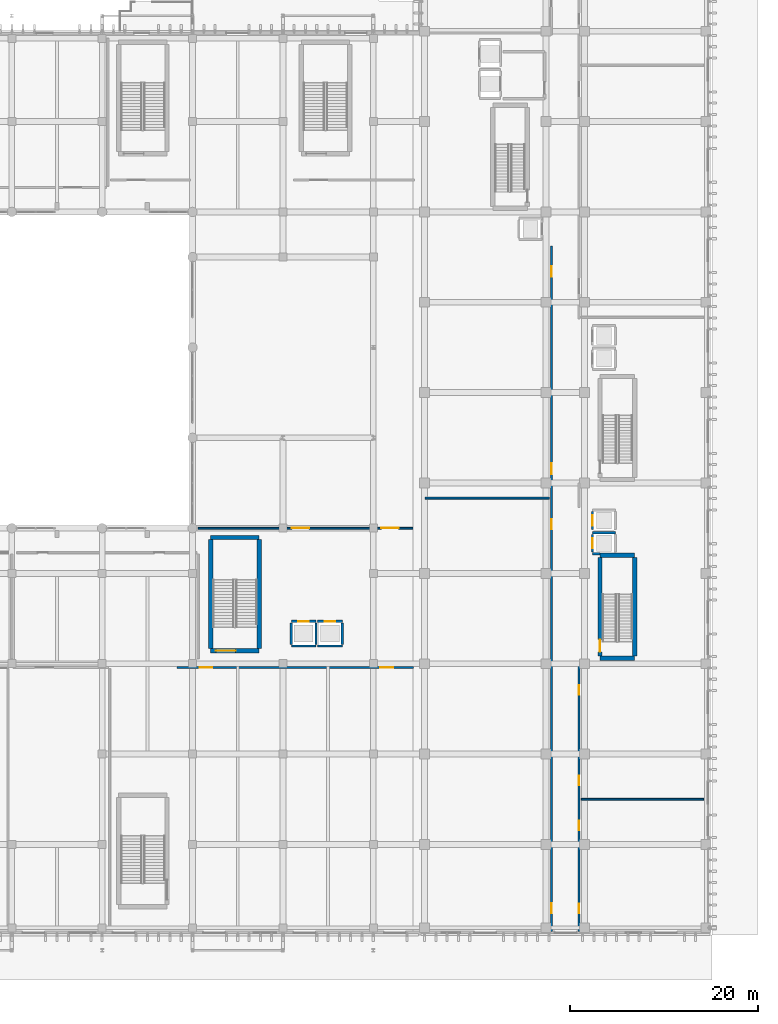
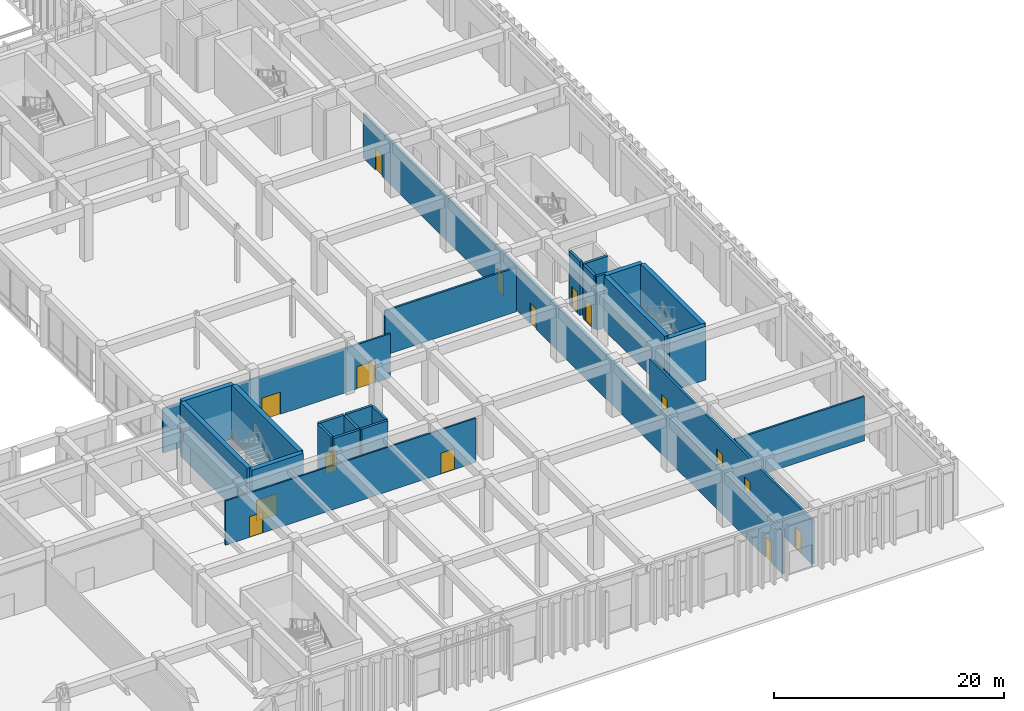
# One storey, part 46 of 87: 25 walls, 18 doors, 18 openings.
"""IFC4 building model written with IfcOpenShell, lengths in metres."""

from ifc_helpers import new_model, si_unit, direction, frame, frame_2d, origin, place, context, subcontext, project, spatial, rectangle, extrude, material, layer, layer_set, type_object, element, fill, save


model = new_model("IFC4")

# Units and contexts
model_context = context("Model", 3, precision=1e-05, world=origin(), true_north=direction((0.0, 1.0)))
body_context = subcontext(model_context, "Body", "Model", "MODEL_VIEW")
ifc_project = project(units=[si_unit("LENGTHUNIT", "METRE"), si_unit("AREAUNIT", "SQUARE_METRE"), si_unit("VOLUMEUNIT", "CUBIC_METRE"), si_unit("PLANEANGLEUNIT", "RADIAN"), si_unit("MASSUNIT", "GRAM", prefix="KILO")], contexts=[model_context])

# Site, building, storey
site_placement = place(None, origin())
site = spatial("IfcSite", under=ifc_project, at=site_placement, CompositionType="ELEMENT")
building_placement = place(site_placement, origin())
building = spatial("IfcBuilding", under=site, at=building_placement, Name="Nakhvara Creek Congress Hotel", CompositionType="ELEMENT")
storey_placement = place(building_placement, origin())
storey = spatial("IfcBuildingStorey", under=building, at=storey_placement, Name="L00", CompositionType="ELEMENT", Elevation=0.0)

# Wall, openings, doors
ifc_material_1 = material(Name="Moisture-resistant blockwork and plaster", Category="masonry")
ifc_layer_1 = layer(ifc_material_1, 0.159912109375)
ifc_layer_set_1 = layer_set([ifc_layer_1], Name="Moisture-resistant blockwork and plaster")
wall_type_1 = type_object("IfcWallType", Name="W-BOH-160", PredefinedType="PARTITIONING", material=ifc_layer_set_1)
wall_1_placement = place(storey_placement, frame((123.14990234375, 28.39990234375, 0.0), z_axis=(0.0, 0.0, 1.0), x_axis=(1.0, 0.0, 0.0)))
wall_1 = element("IfcWall", 1, at=wall_1_placement, inside=storey, type_object=wall_type_1, Name="Interior Wall WP14-IW-L00-0071", PredefinedType="PARTITIONING", context=body_context, shape_type="SweptSolid", body=[
    extrude(rectangle(XDim=25.10009765625, YDim=0.159912109375, at=frame_2d((12.550048828125, 0.0))), origin(), (0.0, 0.0, 1.0), 4.69189453125),
])
opening_1_placement = place(wall_1_placement, frame((2.39990234375, 0.0, 0.0)))
opening_1 = element("IfcOpeningElement", 2, at=opening_1_placement, cuts=wall_1, Name="Opening ID05", PredefinedType="OPENING", context=body_context, shape_type="SweptSolid", body=[
    extrude(rectangle(XDim=1.35009765625, YDim=2.199951171875, at=frame_2d((0.675048828125, 1.10009765625))), frame((0.0, 0.091796875, 0.0), z_axis=(0.0, -1.0, 0.0), x_axis=(1.0, 0.0, 0.0)), (0.0, 0.0, 1.0), 0.183837890625),
])
opening_2_placement = place(wall_1_placement, frame((21.60009765625, 0.0, 0.0)))
opening_2 = element("IfcOpeningElement", 3, at=opening_2_placement, cuts=wall_1, Name="Opening ID05", PredefinedType="OPENING", context=body_context, shape_type="SweptSolid", body=[
    extrude(rectangle(XDim=1.35009765625, YDim=2.199951171875, at=frame_2d((0.675048828125, 1.10009765625))), frame((0.0, 0.091796875, 0.0), z_axis=(0.0, -1.0, 0.0), x_axis=(1.0, 0.0, 0.0)), (0.0, 0.0, 1.0), 0.183837890625),
])
ifc_material_2 = material(Name="Brushed stainless-clad BOH door")
door_type_1 = type_object("IfcDoorType", Name="DT-BOH-135", OperationType="NOTDEFINED", PredefinedType="DOOR", material=ifc_material_2)
door_1_placement = place(opening_1_placement, origin())
door_1 = element("IfcDoor", 4, at=door_1_placement, inside=storey, type_object=door_type_1, Name="Interior Door ID05-0071", OperationType="SINGLE_SWING_RIGHT", OverallHeight=2.199951171875, OverallWidth=1.35009765625, PredefinedType="DOOR", context=body_context, shape_type="SweptSolid", body=[
    extrude(rectangle(XDim=1.35009765625, YDim=2.199951171875, at=frame_2d((0.675048828125, 1.10009765625))), frame((0.0, 0.02490234375, 0.0), z_axis=(0.0, -1.0, 0.0), x_axis=(1.0, 0.0, 0.0)), (0.0, 0.0, 1.0), 0.050048828125),
])
fill(opening_1, door_1)
door_2_placement = place(opening_2_placement, origin())
door_2 = element("IfcDoor", 5, at=door_2_placement, inside=storey, type_object=door_type_1, Name="Interior Door ID05-0072", OperationType="SINGLE_SWING_LEFT", OverallHeight=2.199951171875, OverallWidth=1.35009765625, PredefinedType="DOOR", context=body_context, shape_type="SweptSolid", body=[
    extrude(rectangle(XDim=1.35009765625, YDim=2.199951171875, at=frame_2d((0.675048828125, 1.10009765625))), frame((0.0, 0.02490234375, 0.0), z_axis=(0.0, -1.0, 0.0), x_axis=(1.0, 0.0, 0.0)), (0.0, 0.0, 1.0), 0.050048828125),
])
fill(opening_2, door_2)

# Walls
ifc_material_3 = material(Name="Concrete C50/60", Category="concrete")
ifc_layer_2 = layer(ifc_material_3, 0.449951171875)
ifc_layer_set_2 = layer_set([ifc_layer_2], Name="Concrete C50/60")
wall_type_2 = type_object("IfcWallType", Name="W-CORE-450", PredefinedType="SHEAR", material=ifc_layer_set_2)
for number, where, z_axis, x_axis, name in (
    (6, (168.10009765625, 29.3798828125, 0.0), (0.0, 0.0, 1.0), (1.0, 0.0, 0.0), "Core Shear Wall WS02-CWALL-L00-0556"),
    (7, (168.10009765625, 40.320068359375, 0.0), (0.0, 0.0, 1.0), (1.0, 0.0, 0.0), "Core Shear Wall WS02-CWALL-L00-0557"),
):
    element("IfcWall", number, at=place(storey_placement, frame(where, z_axis=z_axis, x_axis=x_axis)), inside=storey, type_object=wall_type_2, Name=name, PredefinedType="SHEAR", context=body_context, shape_type="SweptSolid", body=[
        extrude(rectangle(XDim=3.669921875, YDim=0.449951171875, at=frame_2d((1.8349609375, 0.0))), origin(), (0.0, 0.0, 1.0), 5.699951171875),
    ])

# Wall, opening, door
wall_2_placement = place(storey_placement, frame((168.10009765625, 29.60009765625, 0.0), z_axis=(0.0, 0.0, 1.0), x_axis=(0.0, 1.0, 0.0)))
wall_2 = element("IfcWall", 8, at=wall_2_placement, inside=storey, type_object=wall_type_2, Name="Core Shear Wall WS02-CWALL-L00-0558", PredefinedType="SHEAR", context=body_context, shape_type="SweptSolid", body=[
    extrude(rectangle(XDim=10.5, YDim=0.449951171875, at=frame_2d((5.25, 0.0))), origin(), (0.0, 0.0, 1.0), 5.699951171875),
])
opening_3_placement = place(wall_2_placement, frame((0.449951171875, 0.0, 0.0)))
opening_3 = element("IfcOpeningElement", 9, at=opening_3_placement, cuts=wall_2, Name="Opening FD04", PredefinedType="OPENING", context=body_context, shape_type="SweptSolid", body=[
    extrude(rectangle(XDim=1.300048828125, YDim=2.14990234375, at=frame_2d((0.64990234375, 1.074951171875))), frame((0.0, 0.23681640625, 0.0), z_axis=(0.0, -1.0, 0.0), x_axis=(1.0, 0.0, 0.0)), (0.0, 0.0, 1.0), 0.473876953125),
])
ifc_material_4 = material(Name="Powder-coated steel fire door", Category="steel")
door_type_2 = type_object("IfcDoorType", Name="DT-STAIR-130", OperationType="NOTDEFINED", PredefinedType="DOOR", material=ifc_material_4)
door_3_placement = place(opening_3_placement, origin())
door_3 = element("IfcDoor", 10, at=door_3_placement, inside=storey, type_object=door_type_2, Name="Stair Exit Door ST03-L00", OperationType="SINGLE_SWING_LEFT", OverallHeight=2.14990234375, OverallWidth=1.300048828125, PredefinedType="DOOR", context=body_context, shape_type="SweptSolid", body=[
    extrude(rectangle(XDim=1.300048828125, YDim=2.14990234375, at=frame_2d((0.64990234375, 1.074951171875))), frame((0.0, 0.02490234375, 0.0), z_axis=(0.0, -1.0, 0.0), x_axis=(1.0, 0.0, 0.0)), (0.0, 0.0, 1.0), 0.050048828125),
])
fill(opening_3, door_3)

# Wall
wall_3_placement = place(storey_placement, frame((171.77001953125, 29.60009765625, 0.0), z_axis=(0.0, 0.0, 1.0), x_axis=(0.0, 1.0, 0.0)))
element("IfcWall", 11, at=wall_3_placement, inside=storey, type_object=wall_type_2, Name="Core Shear Wall WS02-CWALL-L00-0559", PredefinedType="SHEAR", context=body_context, shape_type="SweptSolid", body=[
    extrude(rectangle(XDim=10.5, YDim=0.449951171875, at=frame_2d((5.25, 0.0))), origin(), (0.0, 0.0, 1.0), 5.699951171875),
])

# Wall, opening, door
wall_4_placement = place(storey_placement, frame((126.72998046875, 30.179931640625, 0.0), z_axis=(0.0, 0.0, 1.0), x_axis=(1.0, 0.0, 0.0)))
wall_4 = element("IfcWall", 12, at=wall_4_placement, inside=storey, type_object=wall_type_2, Name="Core Shear Wall WS02-CWALL-L00-0803", PredefinedType="SHEAR", context=body_context, shape_type="SweptSolid", body=[
    extrude(rectangle(XDim=5.14990234375, YDim=0.449951171875, at=frame_2d((2.574951171875, 0.0))), origin(), (0.0, 0.0, 1.0), 5.699951171875),
])
opening_4_placement = place(wall_4_placement, frame((0.550048828125, 0.0, 0.0)))
opening_4 = element("IfcOpeningElement", 13, at=opening_4_placement, cuts=wall_4, Name="Opening FD19", PredefinedType="OPENING", context=body_context, shape_type="SweptSolid", body=[
    extrude(rectangle(XDim=2.10009765625, YDim=2.199951171875, at=frame_2d((1.050048828125, 1.10009765625))), frame((0.0, 0.23681640625, 0.0), z_axis=(0.0, -1.0, 0.0), x_axis=(1.0, 0.0, 0.0)), (0.0, 0.0, 1.0), 0.473876953125),
])
ifc_material_5 = material(Name="Galvanised steel acoustic fire door", Category="steel")
door_type_3 = type_object("IfcDoorType", Name="DT-STAIR-220", OperationType="DOUBLE_DOOR_SINGLE_SWING", PredefinedType="DOOR", material=ifc_material_5)
door_4_placement = place(opening_4_placement, frame((2.10009765625, 0.0, 0.0), z_axis=(0.0, 0.0, 1.0), x_axis=(-1.0, 0.0, 0.0)))
door_4 = element("IfcDoor", 14, at=door_4_placement, inside=storey, type_object=door_type_3, Name="Stair Exit Door ST06-L00", OperationType="DOUBLE_DOOR_SINGLE_SWING", OverallHeight=2.199951171875, OverallWidth=2.10009765625, PredefinedType="DOOR", context=body_context, shape_type="SweptSolid", body=[
    extrude(rectangle(XDim=2.10009765625, YDim=2.199951171875, at=frame_2d((1.050048828125, 1.10009765625))), frame((0.0, 0.02490234375, 0.0), z_axis=(0.0, -1.0, 0.0), x_axis=(1.0, 0.0, 0.0)), (0.0, 0.0, 1.0), 0.050048828125),
])
fill(opening_4, door_4)

# Walls
wall_5_placement = place(storey_placement, frame((126.72998046875, 42.219970703125, 0.0), z_axis=(0.0, 0.0, 1.0), x_axis=(1.0, 0.0, 0.0)))
element("IfcWall", 15, at=wall_5_placement, inside=storey, type_object=wall_type_2, Name="Core Shear Wall WS02-CWALL-L00-0804", PredefinedType="SHEAR", context=body_context, shape_type="SweptSolid", body=[
    extrude(rectangle(XDim=5.14990234375, YDim=0.449951171875, at=frame_2d((2.574951171875, 0.0))), origin(), (0.0, 0.0, 1.0), 5.699951171875),
])
for number, where, z_axis, x_axis, name in (
    (16, (126.72998046875, 30.39990234375, 0.0), (0.0, 0.0, 1.0), (0.0, 1.0, 0.0), "Core Shear Wall WS02-CWALL-L00-0805"),
    (17, (131.8798828125, 30.39990234375, 0.0), (0.0, 0.0, 1.0), (0.0, 1.0, 0.0), "Core Shear Wall WS02-CWALL-L00-0806"),
):
    element("IfcWall", number, at=place(storey_placement, frame(where, z_axis=z_axis, x_axis=x_axis)), inside=storey, type_object=wall_type_2, Name=name, PredefinedType="SHEAR", context=body_context, shape_type="SweptSolid", body=[
        extrude(rectangle(XDim=11.60009765625, YDim=0.449951171875, at=frame_2d((5.800048828125, 0.0))), origin(), (0.0, 0.0, 1.0), 5.699951171875),
    ])

# Wall, openings, doors
ifc_material_6 = material(Name="Gypsum acoustic board on steel stud", Category="steel")
ifc_layer_3 = layer(ifc_material_6, 0.219970703125)
ifc_layer_set_3 = layer_set([ifc_layer_3], Name="Gypsum acoustic board on steel stud")
wall_type_3 = type_object("IfcWallType", Name="W-CORR-220", PredefinedType="PARTITIONING", material=ifc_layer_set_3)
wall_6_placement = place(storey_placement, frame((162.919921875, 0.35009765625, 0.0), z_axis=(0.0, 0.0, 1.0), x_axis=(0.0, 1.0, 0.0)))
wall_6 = element("IfcWall", 18, at=wall_6_placement, inside=storey, type_object=wall_type_3, Name="Interior Wall WP11-IW-L00-0050", PredefinedType="PARTITIONING", context=body_context, shape_type="SweptSolid", body=[
    extrude(rectangle(XDim=72.849853515625, YDim=0.219970703125, at=frame_2d((36.4248046875, 0.0))), origin(), (0.0, 0.0, 1.0), 4.69189453125),
])
opening_5_placement = place(wall_6_placement, frame((1.949951171875, 0.0, 0.0)))
opening_5 = element("IfcOpeningElement", 19, at=opening_5_placement, cuts=wall_6, Name="Opening GD04", PredefinedType="OPENING", context=body_context, shape_type="SweptSolid", body=[
    extrude(rectangle(XDim=1.050048828125, YDim=2.219970703125, at=frame_2d((0.52490234375, 1.10986328125))), frame((0.0, 0.1220703125, 0.0), z_axis=(0.0, -1.0, 0.0), x_axis=(1.0, 0.0, 0.0)), (0.0, 0.0, 1.0), 0.243896484375),
])
opening_6_placement = place(wall_6_placement, frame((42.75, 0.0, 0.0)))
opening_6 = element("IfcOpeningElement", 20, at=opening_6_placement, cuts=wall_6, Name="Opening GD04", PredefinedType="OPENING", context=body_context, shape_type="SweptSolid", body=[
    extrude(rectangle(XDim=1.050048828125, YDim=2.219970703125, at=frame_2d((0.52490234375, 1.10986328125))), frame((0.0, 0.1220703125, 0.0), z_axis=(0.0, -1.0, 0.0), x_axis=(1.0, 0.0, 0.0)), (0.0, 0.0, 1.0), 0.243896484375),
])
opening_7_placement = place(wall_6_placement, frame((48.60009765625, 0.0, 0.0)))
opening_7 = element("IfcOpeningElement", 21, at=opening_7_placement, cuts=wall_6, Name="Opening GD05", PredefinedType="OPENING", context=body_context, shape_type="SweptSolid", body=[
    extrude(rectangle(XDim=1.139892578125, YDim=2.260009765625, at=frame_2d((0.56982421875, 1.1298828125))), frame((0.0, 0.1220703125, 0.0), z_axis=(0.0, -1.0, 0.0), x_axis=(1.0, 0.0, 0.0)), (0.0, 0.0, 1.0), 0.243896484375),
])
opening_8_placement = place(wall_6_placement, frame((69.550048828125, 0.0, 0.0)))
opening_8 = element("IfcOpeningElement", 22, at=opening_8_placement, cuts=wall_6, Name="Opening GD05", PredefinedType="OPENING", context=body_context, shape_type="SweptSolid", body=[
    extrude(rectangle(XDim=1.139892578125, YDim=2.260009765625, at=frame_2d((0.56982421875, 1.1298828125))), frame((0.0, 0.1220703125, 0.0), z_axis=(0.0, -1.0, 0.0), x_axis=(1.0, 0.0, 0.0)), (0.0, 0.0, 1.0), 0.243896484375),
])
ifc_material_7 = material(Name="Walnut hardwood timber fire door", Category="wood")
door_type_4 = type_object("IfcDoorType", Name="DT-GUEST-105", OperationType="NOTDEFINED", PredefinedType="DOOR", material=ifc_material_7)
door_5_placement = place(opening_5_placement, frame((1.050048828125, 0.0, 0.0), z_axis=(0.0, 0.0, 1.0), x_axis=(-1.0, 0.0, 0.0)))
door_5 = element("IfcDoor", 23, at=door_5_placement, inside=storey, type_object=door_type_4, Name="Interior Door GD04-0073", OperationType="SINGLE_SWING_RIGHT", OverallHeight=2.219970703125, OverallWidth=1.050048828125, PredefinedType="DOOR", context=body_context, shape_type="SweptSolid", body=[
    extrude(rectangle(XDim=1.050048828125, YDim=2.219970703125, at=frame_2d((0.52490234375, 1.10986328125))), frame((0.0, 0.02490234375, 0.0), z_axis=(0.0, -1.0, 0.0), x_axis=(1.0, 0.0, 0.0)), (0.0, 0.0, 1.0), 0.050048828125),
])
fill(opening_5, door_5)
door_6_placement = place(opening_6_placement, frame((1.050048828125, 0.0, 0.0), z_axis=(0.0, 0.0, 1.0), x_axis=(-1.0, 0.0, 0.0)))
door_6 = element("IfcDoor", 24, at=door_6_placement, inside=storey, type_object=door_type_4, Name="Interior Door GD04-0074", OperationType="SINGLE_SWING_LEFT", OverallHeight=2.219970703125, OverallWidth=1.050048828125, PredefinedType="DOOR", context=body_context, shape_type="SweptSolid", body=[
    extrude(rectangle(XDim=1.050048828125, YDim=2.219970703125, at=frame_2d((0.52490234375, 1.10986328125))), frame((0.0, 0.02490234375, 0.0), z_axis=(0.0, -1.0, 0.0), x_axis=(1.0, 0.0, 0.0)), (0.0, 0.0, 1.0), 0.050048828125),
])
fill(opening_6, door_6)
door_type_5 = type_object("IfcDoorType", Name="DT-GUEST-114", OperationType="NOTDEFINED", PredefinedType="DOOR", material=ifc_material_7)
door_7_placement = place(opening_7_placement, frame((1.139892578125, 0.0, 0.0), z_axis=(0.0, 0.0, 1.0), x_axis=(-1.0, 0.0, 0.0)))
door_7 = element("IfcDoor", 25, at=door_7_placement, inside=storey, type_object=door_type_5, Name="Interior Door GD05-0079", OperationType="SINGLE_SWING_RIGHT", OverallHeight=2.260009765625, OverallWidth=1.139892578125, PredefinedType="DOOR", context=body_context, shape_type="SweptSolid", body=[
    extrude(rectangle(XDim=1.139892578125, YDim=2.260009765625, at=frame_2d((0.56982421875, 1.1298828125))), frame((0.0, 0.02490234375, 0.0), z_axis=(0.0, -1.0, 0.0), x_axis=(1.0, 0.0, 0.0)), (0.0, 0.0, 1.0), 0.050048828125),
])
fill(opening_7, door_7)
door_8_placement = place(opening_8_placement, frame((1.139892578125, 0.0, 0.0), z_axis=(0.0, 0.0, 1.0), x_axis=(-1.0, 0.0, 0.0)))
door_8 = element("IfcDoor", 26, at=door_8_placement, inside=storey, type_object=door_type_5, Name="Interior Door GD05-0080", OperationType="SINGLE_SWING_LEFT", OverallHeight=2.260009765625, OverallWidth=1.139892578125, PredefinedType="DOOR", context=body_context, shape_type="SweptSolid", body=[
    extrude(rectangle(XDim=1.139892578125, YDim=2.260009765625, at=frame_2d((0.56982421875, 1.1298828125))), frame((0.0, 0.02490234375, 0.0), z_axis=(0.0, -1.0, 0.0), x_axis=(1.0, 0.0, 0.0)), (0.0, 0.0, 1.0), 0.050048828125),
])
fill(opening_8, door_8)

wall_7_placement = place(storey_placement, frame((165.8798828125, 0.35009765625, 0.0), z_axis=(0.0, 0.0, 1.0), x_axis=(0.0, 1.0, 0.0)))
wall_7 = element("IfcWall", 27, at=wall_7_placement, inside=storey, type_object=wall_type_3, Name="Interior Wall WP11-IW-L00-0053", PredefinedType="PARTITIONING", context=body_context, shape_type="SweptSolid", body=[
    extrude(rectangle(XDim=28.25, YDim=0.219970703125, at=frame_2d((14.125, 0.0))), origin(), (0.0, 0.0, 1.0), 4.69189453125),
])
opening_9_placement = place(wall_7_placement, frame((1.949951171875, 0.0, 0.0)))
opening_9 = element("IfcOpeningElement", 28, at=opening_9_placement, cuts=wall_7, Name="Opening GD01", PredefinedType="OPENING", context=body_context, shape_type="SweptSolid", body=[
    extrude(rectangle(XDim=1.02001953125, YDim=2.199951171875, at=frame_2d((0.510009765625, 1.10009765625))), frame((0.0, 0.1220703125, 0.0), z_axis=(0.0, -1.0, 0.0), x_axis=(1.0, 0.0, 0.0)), (0.0, 0.0, 1.0), 0.243896484375),
])
opening_10_placement = place(wall_7_placement, frame((10.75, 0.0, 0.0)))
opening_10 = element("IfcOpeningElement", 29, at=opening_10_placement, cuts=wall_7, Name="Opening GD01", PredefinedType="OPENING", context=body_context, shape_type="SweptSolid", body=[
    extrude(rectangle(XDim=1.02001953125, YDim=2.199951171875, at=frame_2d((0.510009765625, 1.10009765625))), frame((0.0, 0.1220703125, 0.0), z_axis=(0.0, -1.0, 0.0), x_axis=(1.0, 0.0, 0.0)), (0.0, 0.0, 1.0), 0.243896484375),
])
opening_11_placement = place(wall_7_placement, frame((15.550048828125, 0.0, 0.0)))
opening_11 = element("IfcOpeningElement", 30, at=opening_11_placement, cuts=wall_7, Name="Opening GD01", PredefinedType="OPENING", context=body_context, shape_type="SweptSolid", body=[
    extrude(rectangle(XDim=1.02001953125, YDim=2.199951171875, at=frame_2d((0.510009765625, 1.10009765625))), frame((0.0, 0.1220703125, 0.0), z_axis=(0.0, -1.0, 0.0), x_axis=(1.0, 0.0, 0.0)), (0.0, 0.0, 1.0), 0.243896484375),
])
opening_12_placement = place(wall_7_placement, frame((25.14990234375, 0.0, 0.0)))
opening_12 = element("IfcOpeningElement", 31, at=opening_12_placement, cuts=wall_7, Name="Opening GD01", PredefinedType="OPENING", context=body_context, shape_type="SweptSolid", body=[
    extrude(rectangle(XDim=1.02001953125, YDim=2.199951171875, at=frame_2d((0.510009765625, 1.10009765625))), frame((0.0, 0.1220703125, 0.0), z_axis=(0.0, -1.0, 0.0), x_axis=(1.0, 0.0, 0.0)), (0.0, 0.0, 1.0), 0.243896484375),
])
door_type_6 = type_object("IfcDoorType", Name="DT-GUEST-102", OperationType="NOTDEFINED", PredefinedType="DOOR", material=ifc_material_7)
door_9_placement = place(opening_9_placement, origin())
door_9 = element("IfcDoor", 32, at=door_9_placement, inside=storey, type_object=door_type_6, Name="Interior Door GD01-0075", OperationType="SINGLE_SWING_RIGHT", OverallHeight=2.199951171875, OverallWidth=1.02001953125, PredefinedType="DOOR", context=body_context, shape_type="SweptSolid", body=[
    extrude(rectangle(XDim=1.02001953125, YDim=2.199951171875, at=frame_2d((0.510009765625, 1.10009765625))), frame((0.0, 0.02490234375, 0.0), z_axis=(0.0, -1.0, 0.0), x_axis=(1.0, 0.0, 0.0)), (0.0, 0.0, 1.0), 0.050048828125),
])
fill(opening_9, door_9)
door_10_placement = place(opening_10_placement, origin())
door_10 = element("IfcDoor", 33, at=door_10_placement, inside=storey, type_object=door_type_6, Name="Interior Door GD01-0076", OperationType="SINGLE_SWING_LEFT", OverallHeight=2.199951171875, OverallWidth=1.02001953125, PredefinedType="DOOR", context=body_context, shape_type="SweptSolid", body=[
    extrude(rectangle(XDim=1.02001953125, YDim=2.199951171875, at=frame_2d((0.510009765625, 1.10009765625))), frame((0.0, 0.02490234375, 0.0), z_axis=(0.0, -1.0, 0.0), x_axis=(1.0, 0.0, 0.0)), (0.0, 0.0, 1.0), 0.050048828125),
])
fill(opening_10, door_10)
door_11_placement = place(opening_11_placement, origin())
door_11 = element("IfcDoor", 34, at=door_11_placement, inside=storey, type_object=door_type_6, Name="Interior Door GD01-0077", OperationType="SINGLE_SWING_RIGHT", OverallHeight=2.199951171875, OverallWidth=1.02001953125, PredefinedType="DOOR", context=body_context, shape_type="SweptSolid", body=[
    extrude(rectangle(XDim=1.02001953125, YDim=2.199951171875, at=frame_2d((0.510009765625, 1.10009765625))), frame((0.0, 0.02490234375, 0.0), z_axis=(0.0, -1.0, 0.0), x_axis=(1.0, 0.0, 0.0)), (0.0, 0.0, 1.0), 0.050048828125),
])
fill(opening_11, door_11)
door_12_placement = place(opening_12_placement, origin())
door_12 = element("IfcDoor", 35, at=door_12_placement, inside=storey, type_object=door_type_6, Name="Interior Door GD01-0078", OperationType="SINGLE_SWING_LEFT", OverallHeight=2.199951171875, OverallWidth=1.02001953125, PredefinedType="DOOR", context=body_context, shape_type="SweptSolid", body=[
    extrude(rectangle(XDim=1.02001953125, YDim=2.199951171875, at=frame_2d((0.510009765625, 1.10009765625))), frame((0.0, 0.02490234375, 0.0), z_axis=(0.0, -1.0, 0.0), x_axis=(1.0, 0.0, 0.0)), (0.0, 0.0, 1.0), 0.050048828125),
])
fill(opening_12, door_12)

ifc_layer_4 = layer(ifc_material_6, 0.179931640625)
ifc_layer_set_4 = layer_set([ifc_layer_4], Name="Gypsum acoustic board on steel stud")
wall_type_4 = type_object("IfcWallType", Name="W-MEET-180", PredefinedType="PARTITIONING", material=ifc_layer_set_4)
wall_8_placement = place(storey_placement, frame((125.39990234375, 43.199951171875, 0.0), z_axis=(0.0, 0.0, 1.0), x_axis=(1.0, 0.0, 0.0)))
wall_8 = element("IfcWall", 36, at=wall_8_placement, inside=storey, type_object=wall_type_4, Name="Interior Wall WP13-IW-L00-0062", PredefinedType="PARTITIONING", context=body_context, shape_type="SweptSolid", body=[
    extrude(rectangle(XDim=22.800048828125, YDim=0.179931640625, at=frame_2d((11.39990234375, 0.0))), origin(), (0.0, 0.0, 1.0), 4.69189453125),
])
opening_13_placement = place(wall_8_placement, frame((9.949951171875, 0.0, 0.0)))
opening_13 = element("IfcOpeningElement", 37, at=opening_13_placement, cuts=wall_8, Name="Opening MD01", PredefinedType="OPENING", context=body_context, shape_type="SweptSolid", body=[
    extrude(rectangle(XDim=1.85009765625, YDim=2.35009765625, at=frame_2d((0.925048828125, 1.175048828125))), frame((0.0, 0.10205078125, 0.0), z_axis=(0.0, -1.0, 0.0), x_axis=(1.0, 0.0, 0.0)), (0.0, 0.0, 1.0), 0.203857421875),
])
opening_14_placement = place(wall_8_placement, frame((19.449951171875, 0.0, 0.0)))
opening_14 = element("IfcOpeningElement", 38, at=opening_14_placement, cuts=wall_8, Name="Opening MD01", PredefinedType="OPENING", context=body_context, shape_type="SweptSolid", body=[
    extrude(rectangle(XDim=1.85009765625, YDim=2.35009765625, at=frame_2d((0.925048828125, 1.175048828125))), frame((0.0, 0.10205078125, 0.0), z_axis=(0.0, -1.0, 0.0), x_axis=(1.0, 0.0, 0.0)), (0.0, 0.0, 1.0), 0.203857421875),
])
ifc_material_8 = material(Name="Acoustic walnut timber double door", Category="wood")
door_type_7 = type_object("IfcDoorType", Name="DT-MEET-185", OperationType="DOUBLE_DOOR_SINGLE_SWING", PredefinedType="DOOR", material=ifc_material_8)
door_13_placement = place(opening_13_placement, frame((1.85009765625, 0.0, 0.0), z_axis=(0.0, 0.0, 1.0), x_axis=(-1.0, 0.0, 0.0)))
door_13 = element("IfcDoor", 39, at=door_13_placement, inside=storey, type_object=door_type_7, Name="Interior Door MD01-0061", OperationType="DOUBLE_DOOR_SINGLE_SWING", OverallHeight=2.35009765625, OverallWidth=1.85009765625, PredefinedType="DOOR", context=body_context, shape_type="SweptSolid", body=[
    extrude(rectangle(XDim=1.85009765625, YDim=2.35009765625, at=frame_2d((0.925048828125, 1.175048828125))), frame((0.0, 0.02490234375, 0.0), z_axis=(0.0, -1.0, 0.0), x_axis=(1.0, 0.0, 0.0)), (0.0, 0.0, 1.0), 0.050048828125),
])
fill(opening_13, door_13)
door_14_placement = place(opening_14_placement, frame((1.85009765625, 0.0, 0.0), z_axis=(0.0, 0.0, 1.0), x_axis=(-1.0, 0.0, 0.0)))
door_14 = element("IfcDoor", 40, at=door_14_placement, inside=storey, type_object=door_type_7, Name="Interior Door MD01-0062", OperationType="DOUBLE_DOOR_SINGLE_SWING", OverallHeight=2.35009765625, OverallWidth=1.85009765625, PredefinedType="DOOR", context=body_context, shape_type="SweptSolid", body=[
    extrude(rectangle(XDim=1.85009765625, YDim=2.35009765625, at=frame_2d((0.925048828125, 1.175048828125))), frame((0.0, 0.02490234375, 0.0), z_axis=(0.0, -1.0, 0.0), x_axis=(1.0, 0.0, 0.0)), (0.0, 0.0, 1.0), 0.050048828125),
])
fill(opening_14, door_14)

# Walls
wall_9_placement = place(storey_placement, frame((166.10009765625, 14.39990234375, 0.0), z_axis=(0.0, 0.0, 1.0), x_axis=(1.0, 0.0, 0.0)))
element("IfcWall", 41, at=wall_9_placement, inside=storey, type_object=wall_type_4, Name="Interior Wall WP13-IW-L00-0072", PredefinedType="PARTITIONING", context=body_context, shape_type="SweptSolid", body=[
    extrude(rectangle(XDim=13.0, YDim=0.179931640625, at=frame_2d((6.5, 0.0))), origin(), (0.0, 0.0, 1.0), 4.69189453125),
])
ifc_layer_5 = layer(ifc_material_6, 0.199951171875)
ifc_layer_set_5 = layer_set([ifc_layer_5], Name="Gypsum acoustic board on steel stud")
wall_type_5 = type_object("IfcWallType", Name="W-PART-200", PredefinedType="PARTITIONING", material=ifc_layer_set_5)
wall_10_placement = place(storey_placement, frame((149.5, 46.39990234375, 0.0), z_axis=(0.0, 0.0, 1.0), x_axis=(1.0, 0.0, 0.0)))
element("IfcWall", 42, at=wall_10_placement, inside=storey, type_object=wall_type_5, Name="Interior Wall WP12-IW-L00-0073", PredefinedType="PARTITIONING", context=body_context, shape_type="SweptSolid", body=[
    extrude(rectangle(XDim=13.199951171875, YDim=0.199951171875, at=frame_2d((6.60009765625, 0.0))), origin(), (0.0, 0.0, 1.0), 4.69189453125),
])
ifc_material_9 = material(Name="Concrete C40/50", Category="concrete")
ifc_layer_6 = layer(ifc_material_9, 0.25)
ifc_layer_set_6 = layer_set([ifc_layer_6], Name="Concrete C40/50")
wall_type_6 = type_object("IfcWallType", Name="W-SHAFT-250", PredefinedType="SOLIDWALL", material=ifc_layer_set_6)
wall_11_placement = place(storey_placement, frame((167.2900390625, 40.489990234375, 0.0), z_axis=(0.0, 0.0, 1.0), x_axis=(1.0, 0.0, 0.0)))
element("IfcWall", 43, at=wall_11_placement, inside=storey, type_object=wall_type_6, Name="Core Shear Wall WI02-CWALL-L00-0560", PredefinedType="SOLIDWALL", context=body_context, shape_type="SweptSolid", body=[
    extrude(rectangle(XDim=0.800048828125, YDim=0.25, at=frame_2d((0.39990234375, 0.0))), origin(), (0.0, 0.0, 1.0), 5.699951171875),
])
wall_12_placement = place(storey_placement, frame((167.2900390625, 42.7099609375, 0.0), z_axis=(0.0, 0.0, 1.0), x_axis=(1.0, 0.0, 0.0)))
element("IfcWall", 44, at=wall_12_placement, inside=storey, type_object=wall_type_6, Name="Core Shear Wall WI02-CWALL-L00-0561", PredefinedType="SOLIDWALL", context=body_context, shape_type="SweptSolid", body=[
    extrude(rectangle(XDim=2.419921875, YDim=0.25, at=frame_2d((1.2099609375, 0.0))), origin(), (0.0, 0.0, 1.0), 5.699951171875),
])

# Wall, opening, door
wall_13_placement = place(storey_placement, frame((167.2900390625, 40.64990234375, 0.0), z_axis=(0.0, 0.0, 1.0), x_axis=(0.0, 1.0, 0.0)))
wall_13 = element("IfcWall", 45, at=wall_13_placement, inside=storey, type_object=wall_type_6, Name="Core Shear Wall WI02-CWALL-L00-0562", PredefinedType="SOLIDWALL", context=body_context, shape_type="SweptSolid", body=[
    extrude(rectangle(XDim=1.900146484375, YDim=0.25, at=frame_2d((0.9501953125, 0.0))), origin(), (0.0, 0.0, 1.0), 5.699951171875),
])
opening_15_placement = place(wall_13_placement, frame((0.39990234375, 0.0, 0.0)))
opening_15 = element("IfcOpeningElement", 46, at=opening_15_placement, cuts=wall_13, Name="Opening LD01", PredefinedType="OPENING", context=body_context, shape_type="SweptSolid", body=[
    extrude(rectangle(XDim=1.10009765625, YDim=2.199951171875, at=frame_2d((0.550048828125, 1.10009765625))), frame((0.0, 0.136962890625, 0.0), z_axis=(0.0, -1.0, 0.0), x_axis=(1.0, 0.0, 0.0)), (0.0, 0.0, 1.0), 0.27392578125),
])
ifc_material_10 = material(Name="Brushed stainless steel sliding landing door", Category="steel")
door_type_8 = type_object("IfcDoorType", Name="DT-LIFT-110", OperationType="DOUBLE_DOOR_SLIDING", PredefinedType="DOOR", material=ifc_material_10)
door_15_placement = place(opening_15_placement, origin())
door_15 = element("IfcDoor", 47, at=door_15_placement, inside=storey, type_object=door_type_8, Name="Landing Door PL03-L00", OperationType="SLIDING_TO_LEFT", OverallHeight=2.199951171875, OverallWidth=1.10009765625, PredefinedType="DOOR", context=body_context, shape_type="SweptSolid", body=[
    extrude(rectangle(XDim=1.10009765625, YDim=2.199951171875, at=frame_2d((0.550048828125, 1.10009765625))), frame((0.0, 0.02490234375, 0.0), z_axis=(0.0, -1.0, 0.0), x_axis=(1.0, 0.0, 0.0)), (0.0, 0.0, 1.0), 0.050048828125),
])
fill(opening_15, door_15)

wall_14_placement = place(storey_placement, frame((167.2900390625, 43.050048828125, 0.0), z_axis=(0.0, 0.0, 1.0), x_axis=(0.0, 1.0, 0.0)))
wall_14 = element("IfcWall", 48, at=wall_14_placement, inside=storey, type_object=wall_type_6, Name="Core Shear Wall WI02-CWALL-L00-0565", PredefinedType="SOLIDWALL", context=body_context, shape_type="SweptSolid", body=[
    extrude(rectangle(XDim=1.89990234375, YDim=0.25, at=frame_2d((0.949951171875, 0.0))), origin(), (0.0, 0.0, 1.0), 5.699951171875),
])
opening_16_placement = place(wall_14_placement, frame((0.39990234375, 0.0, 0.0)))
opening_16 = element("IfcOpeningElement", 49, at=opening_16_placement, cuts=wall_14, Name="Opening LD01", PredefinedType="OPENING", context=body_context, shape_type="SweptSolid", body=[
    extrude(rectangle(XDim=1.10009765625, YDim=2.199951171875, at=frame_2d((0.550048828125, 1.10009765625))), frame((0.0, 0.136962890625, 0.0), z_axis=(0.0, -1.0, 0.0), x_axis=(1.0, 0.0, 0.0)), (0.0, 0.0, 1.0), 0.27392578125),
])
door_16_placement = place(opening_16_placement, origin())
door_16 = element("IfcDoor", 50, at=door_16_placement, inside=storey, type_object=door_type_8, Name="Landing Door PL04-L00", OperationType="SLIDING_TO_LEFT", OverallHeight=2.199951171875, OverallWidth=1.10009765625, PredefinedType="DOOR", context=body_context, shape_type="SweptSolid", body=[
    extrude(rectangle(XDim=1.10009765625, YDim=2.199951171875, at=frame_2d((0.550048828125, 1.10009765625))), frame((0.0, 0.02490234375, 0.0), z_axis=(0.0, -1.0, 0.0), x_axis=(1.0, 0.0, 0.0)), (0.0, 0.0, 1.0), 0.050048828125),
])
fill(opening_16, door_16)

# Wall
wall_15_placement = place(storey_placement, frame((135.2900390625, 30.68994140625, 0.0), z_axis=(0.0, 0.0, 1.0), x_axis=(1.0, 0.0, 0.0)))
element("IfcWall", 51, at=wall_15_placement, inside=storey, type_object=wall_type_6, Name="Core Shear Wall WI02-CWALL-L00-0807", PredefinedType="SOLIDWALL", context=body_context, shape_type="SweptSolid", body=[
    extrude(rectangle(XDim=2.619873046875, YDim=0.25, at=frame_2d((1.31005859375, 0.0))), origin(), (0.0, 0.0, 1.0), 5.699951171875),
])

# Wall, opening, door
wall_16_placement = place(storey_placement, frame((135.2900390625, 33.31005859375, 0.0), z_axis=(0.0, 0.0, 1.0), x_axis=(1.0, 0.0, 0.0)))
wall_16 = element("IfcWall", 52, at=wall_16_placement, inside=storey, type_object=wall_type_6, Name="Core Shear Wall WI02-CWALL-L00-0808", PredefinedType="SOLIDWALL", context=body_context, shape_type="SweptSolid", body=[
    extrude(rectangle(XDim=2.619873046875, YDim=0.25, at=frame_2d((1.31005859375, 0.0))), origin(), (0.0, 0.0, 1.0), 5.699951171875),
])
opening_17_placement = place(wall_16_placement, frame((0.760009765625, 0.0, 0.0)))
opening_17 = element("IfcOpeningElement", 53, at=opening_17_placement, cuts=wall_16, Name="Opening LD01", PredefinedType="OPENING", context=body_context, shape_type="SweptSolid", body=[
    extrude(rectangle(XDim=1.10009765625, YDim=2.199951171875, at=frame_2d((0.550048828125, 1.10009765625))), frame((0.0, 0.136962890625, 0.0), z_axis=(0.0, -1.0, 0.0), x_axis=(1.0, 0.0, 0.0)), (0.0, 0.0, 1.0), 0.27392578125),
])
door_17_placement = place(opening_17_placement, origin())
door_17 = element("IfcDoor", 54, at=door_17_placement, inside=storey, type_object=door_type_8, Name="Landing Door CL03-L00", OperationType="SLIDING_TO_LEFT", OverallHeight=2.199951171875, OverallWidth=1.10009765625, PredefinedType="DOOR", context=body_context, shape_type="SweptSolid", body=[
    extrude(rectangle(XDim=1.10009765625, YDim=2.199951171875, at=frame_2d((0.550048828125, 1.10009765625))), frame((0.0, 0.02490234375, 0.0), z_axis=(0.0, -1.0, 0.0), x_axis=(1.0, 0.0, 0.0)), (0.0, 0.0, 1.0), 0.050048828125),
])
fill(opening_17, door_17)

# Walls
for number, where, z_axis, x_axis, name in (
    (55, (135.2900390625, 30.85009765625, 0.0), (0.0, 0.0, 1.0), (0.0, 1.0, 0.0), "Core Shear Wall WI02-CWALL-L00-0809"),
    (56, (137.909912109375, 30.85009765625, 0.0), (0.0, 0.0, 1.0), (0.0, 1.0, 0.0), "Core Shear Wall WI02-CWALL-L00-0810"),
):
    element("IfcWall", number, at=place(storey_placement, frame(where, z_axis=z_axis, x_axis=x_axis)), inside=storey, type_object=wall_type_6, Name=name, PredefinedType="SOLIDWALL", context=body_context, shape_type="SweptSolid", body=[
        extrude(rectangle(XDim=2.2998046875, YDim=0.25, at=frame_2d((1.14990234375, 0.0))), origin(), (0.0, 0.0, 1.0), 5.699951171875),
    ])
wall_17_placement = place(storey_placement, frame((138.090087890625, 30.68994140625, 0.0), z_axis=(0.0, 0.0, 1.0), x_axis=(1.0, 0.0, 0.0)))
element("IfcWall", 57, at=wall_17_placement, inside=storey, type_object=wall_type_6, Name="Core Shear Wall WI02-CWALL-L00-0811", PredefinedType="SOLIDWALL", context=body_context, shape_type="SweptSolid", body=[
    extrude(rectangle(XDim=2.619873046875, YDim=0.25, at=frame_2d((1.31005859375, 0.0))), origin(), (0.0, 0.0, 1.0), 5.699951171875),
])

# Wall, opening, door
wall_18_placement = place(storey_placement, frame((138.090087890625, 33.31005859375, 0.0), z_axis=(0.0, 0.0, 1.0), x_axis=(1.0, 0.0, 0.0)))
wall_18 = element("IfcWall", 58, at=wall_18_placement, inside=storey, type_object=wall_type_6, Name="Core Shear Wall WI02-CWALL-L00-0812", PredefinedType="SOLIDWALL", context=body_context, shape_type="SweptSolid", body=[
    extrude(rectangle(XDim=2.619873046875, YDim=0.25, at=frame_2d((1.31005859375, 0.0))), origin(), (0.0, 0.0, 1.0), 5.699951171875),
])
opening_18_placement = place(wall_18_placement, frame((0.760009765625, 0.0, 0.0)))
opening_18 = element("IfcOpeningElement", 59, at=opening_18_placement, cuts=wall_18, Name="Opening LD01", PredefinedType="OPENING", context=body_context, shape_type="SweptSolid", body=[
    extrude(rectangle(XDim=1.10009765625, YDim=2.199951171875, at=frame_2d((0.550048828125, 1.10009765625))), frame((0.0, 0.136962890625, 0.0), z_axis=(0.0, -1.0, 0.0), x_axis=(1.0, 0.0, 0.0)), (0.0, 0.0, 1.0), 0.27392578125),
])
door_18_placement = place(opening_18_placement, origin())
door_18 = element("IfcDoor", 60, at=door_18_placement, inside=storey, type_object=door_type_8, Name="Landing Door CL04-L00", OperationType="SLIDING_TO_LEFT", OverallHeight=2.199951171875, OverallWidth=1.10009765625, PredefinedType="DOOR", context=body_context, shape_type="SweptSolid", body=[
    extrude(rectangle(XDim=1.10009765625, YDim=2.199951171875, at=frame_2d((0.550048828125, 1.10009765625))), frame((0.0, 0.02490234375, 0.0), z_axis=(0.0, -1.0, 0.0), x_axis=(1.0, 0.0, 0.0)), (0.0, 0.0, 1.0), 0.050048828125),
])
fill(opening_18, door_18)

# Wall
wall_19_placement = place(storey_placement, frame((140.7099609375, 30.85009765625, 0.0), z_axis=(0.0, 0.0, 1.0), x_axis=(0.0, 1.0, 0.0)))
element("IfcWall", 61, at=wall_19_placement, inside=storey, type_object=wall_type_6, Name="Core Shear Wall WI02-CWALL-L00-0813", PredefinedType="SOLIDWALL", context=body_context, shape_type="SweptSolid", body=[
    extrude(rectangle(XDim=2.2998046875, YDim=0.25, at=frame_2d((1.14990234375, 0.0))), origin(), (0.0, 0.0, 1.0), 5.699951171875),
])

save(model, "model.ifc")
